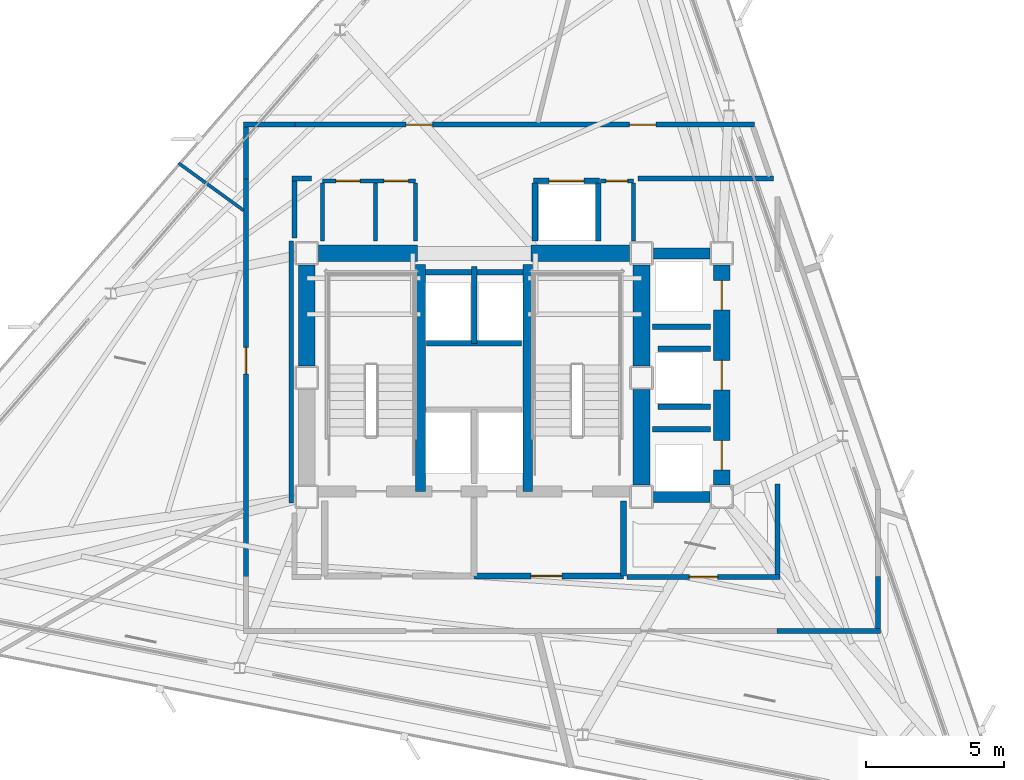
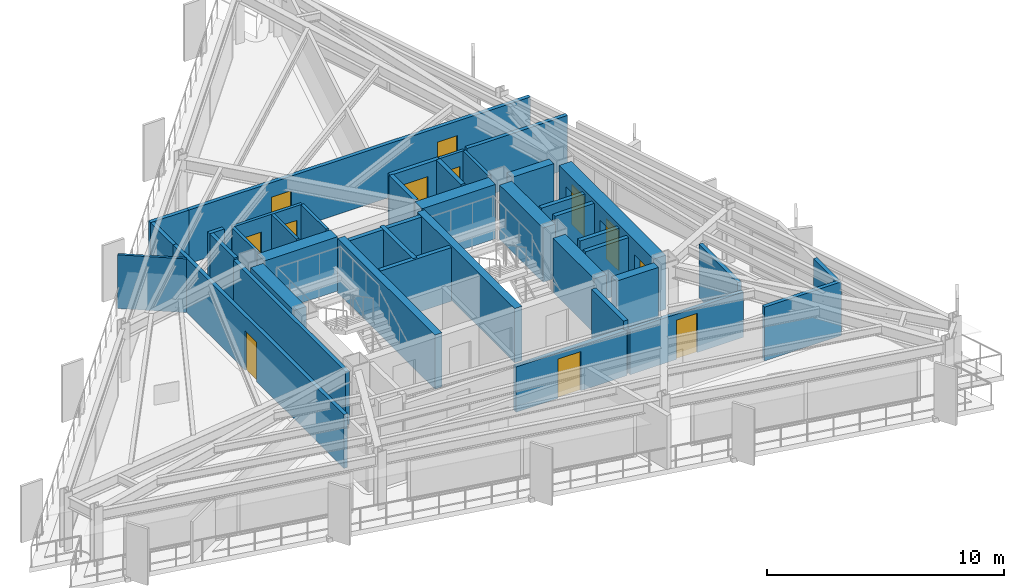
# One storey, part 9 of 13: 41 walls, 12 doors, 12 openings.
"""IFC4 building model written with IfcOpenShell, lengths in metres."""

from ifc_helpers import new_model, si_unit, direction, frame, frame_2d, origin, place, context, subcontext, project, spatial, rectangle, extrude, material, layer, layer_set, type_object, element, fill, save


model = new_model("IFC4")

# Units and contexts
model_context = context("Model", 3, precision=1e-05, world=origin(), true_north=direction((0.0, 1.0)))
body_context = subcontext(model_context, "Body", "Model", "MODEL_VIEW")
ifc_project = project(units=[si_unit("LENGTHUNIT", "METRE"), si_unit("AREAUNIT", "SQUARE_METRE"), si_unit("VOLUMEUNIT", "CUBIC_METRE"), si_unit("PLANEANGLEUNIT", "RADIAN"), si_unit("MASSUNIT", "GRAM", prefix="KILO")], contexts=[model_context])

# Site, building, storey
site_placement = place(None, origin())
site = spatial("IfcSite", under=ifc_project, at=site_placement, CompositionType="ELEMENT")
building_placement = place(site_placement, origin())
building = spatial("IfcBuilding", under=site, at=building_placement, Name="Rocaltana Carrier Exchange", CompositionType="ELEMENT")
storey_placement = place(building_placement, frame((0.0, 0.0, 150.239990234375)))
storey = spatial("IfcBuildingStorey", under=building, at=storey_placement, Name="L47", CompositionType="ELEMENT", Elevation=150.239990234375)

# Walls
ifc_material_1 = material(Name="Concrete C50/60", Category="concrete")
ifc_layer_1 = layer(ifc_material_1, 0.35009765625)
ifc_layer_set_1 = layer_set([ifc_layer_1], Name="Concrete C50/60")
wall_type_1 = type_object("IfcWallType", Name="Core Internal Shear Wall 350", PredefinedType="SHEAR", material=ifc_layer_set_1)
for number, where, z_axis, x_axis, name in (
    (1, (-1.93994140625, -4.10009765625, 0.0), (0.0, 0.0, 1.0), (0.0, 1.0, 0.0), "L47 Core Shear Wall CW-STW"),
    (2, (1.93994140625, -4.10009765625, 0.0), (0.0, 0.0, 1.0), (0.0, 1.0, 0.0), "L47 Core Shear Wall CW-STE"),
):
    element("IfcWall", number, at=place(storey_placement, frame(where, z_axis=z_axis, x_axis=x_axis)), inside=storey, type_object=wall_type_1, Name=name, PredefinedType="SHEAR", context=body_context, shape_type="SweptSolid", body=[
        extrude(rectangle(XDim=8.2001953125, YDim=0.35009765625, at=frame_2d((4.10009765625, 0.0))), origin(), (0.0, 0.0, 1.0), 2.7880859375),
    ])
ifc_material_2 = material(Name="Concrete C50/60", Category="concrete")
ifc_layer_2 = layer(ifc_material_2, 0.39990234375)
ifc_layer_set_2 = layer_set([ifc_layer_2], Name="Concrete C50/60")
wall_type_2 = type_object("IfcWallType", Name="Core Internal Shear Wall 400", PredefinedType="SHEAR", material=ifc_layer_set_2)
for number, where, z_axis, x_axis, name in (
    (3, (6.47509765625, 4.5, 0.0), (0.0, 0.0, 1.0), (1.0, 0.0, 0.0), "L47 Core Shear Wall CW-EWN"),
    (4, (6.47509765625, -4.300048828125, 0.0), (0.0, 0.0, 1.0), (1.0, 0.0, 0.0), "L47 Core Shear Wall CW-EWS"),
):
    element("IfcWall", number, at=place(storey_placement, frame(where, z_axis=z_axis, x_axis=x_axis)), inside=storey, type_object=wall_type_2, Name=name, PredefinedType="SHEAR", context=body_context, shape_type="SweptSolid", body=[
        extrude(rectangle(XDim=2.0498046875, YDim=0.39990234375, at=frame_2d((1.02490234375, 0.0))), origin(), (0.0, 0.0, 1.0), 2.7880859375),
    ])
ifc_material_3 = material(Name="Concrete C50/60", Category="concrete")
ifc_layer_3 = layer(ifc_material_3, 0.60009765625)
ifc_layer_set_3 = layer_set([ifc_layer_3], Name="Concrete C50/60")
wall_type_3 = type_object("IfcWallType", Name="Core Shear Wall 600", PredefinedType="SHEAR", material=ifc_layer_set_3)
for number, where, z_axis, x_axis, name in (
    (5, (-6.050048828125, 0.425048828125, 0.0), (0.0, 0.0, 1.0), (0.0, 1.0, 0.0), "L47 Core Shear Wall CW-WN"),
    (6, (6.050048828125, 0.425048828125, 0.0), (0.0, 0.0, 1.0), (0.0, 1.0, 0.0), "L47 Core Shear Wall CW-EN"),
):
    element("IfcWall", number, at=place(storey_placement, frame(where, z_axis=z_axis, x_axis=x_axis)), inside=storey, type_object=wall_type_3, Name=name, PredefinedType="SHEAR", context=body_context, shape_type="SweptSolid", body=[
        extrude(rectangle(XDim=3.64990234375, YDim=0.60009765625, at=frame_2d((1.824951171875, 0.0))), origin(), (0.0, 0.0, 1.0), 2.7880859375),
    ])
wall_1_placement = place(storey_placement, frame((6.050048828125, -3.875, 0.0), z_axis=(0.0, 0.0, 1.0), x_axis=(0.0, 1.0, 0.0)))
element("IfcWall", 7, at=wall_1_placement, inside=storey, type_object=wall_type_3, Name="L47 Core Shear Wall CW-ES", PredefinedType="SHEAR", context=body_context, shape_type="SweptSolid", body=[
    extrude(rectangle(XDim=3.449951171875, YDim=0.60009765625, at=frame_2d((1.72509765625, 0.0))), origin(), (0.0, 0.0, 1.0), 2.7880859375),
])
for number, where, z_axis, x_axis, name in (
    (8, (-5.625, 4.5, 0.0), (0.0, 0.0, 1.0), (1.0, 0.0, 0.0), "L47 Core Shear Wall CW-N1"),
    (9, (2.050048828125, 4.5, 0.0), (0.0, 0.0, 1.0), (1.0, 0.0, 0.0), "L47 Core Shear Wall CW-N2"),
):
    element("IfcWall", number, at=place(storey_placement, frame(where, z_axis=z_axis, x_axis=x_axis)), inside=storey, type_object=wall_type_3, Name=name, PredefinedType="SHEAR", context=body_context, shape_type="SweptSolid", body=[
        extrude(rectangle(XDim=3.574951171875, YDim=0.60009765625, at=frame_2d((1.78759765625, 0.0))), origin(), (0.0, 0.0, 1.0), 2.7880859375),
    ])

# Wall, openings, doors
wall_2_placement = place(storey_placement, frame((8.949951171875, -3.875, 0.0), z_axis=(0.0, 0.0, 1.0), x_axis=(0.0, 1.0, 0.0)))
wall_2 = element("IfcWall", 10, at=wall_2_placement, inside=storey, type_object=wall_type_3, Name="L47 Core Shear Wall CW-EW", PredefinedType="SHEAR", context=body_context, shape_type="SweptSolid", body=[
    extrude(rectangle(XDim=7.949951171875, YDim=0.60009765625, at=frame_2d((3.97509765625, 0.0))), origin(), (0.0, 0.0, 1.0), 2.7880859375),
])
opening_1_placement = place(wall_2_placement, frame((0.550048828125, 0.0, 0.0)))
opening_1 = element("IfcOpeningElement", 11, at=opening_1_placement, cuts=wall_2, Name="Opening LD-110", PredefinedType="OPENING", context=body_context, shape_type="SweptSolid", body=[
    extrude(rectangle(XDim=1.06005859375, YDim=2.0400390625, at=frame_2d((0.530029296875, 1.02001953125))), frame((0.0, 0.31005859375, 0.0), z_axis=(0.0, -1.0, 0.0), x_axis=(1.0, 0.0, 0.0)), (0.0, 0.0, 1.0), 0.6201171875),
])
opening_2_placement = place(wall_2_placement, frame((3.445068359375, 0.0, 0.0)))
opening_2 = element("IfcOpeningElement", 12, at=opening_2_placement, cuts=wall_2, Name="Opening LD-110", PredefinedType="OPENING", context=body_context, shape_type="SweptSolid", body=[
    extrude(rectangle(XDim=1.06005859375, YDim=2.0400390625, at=frame_2d((0.530029296875, 1.02001953125))), frame((0.0, 0.31005859375, 0.0), z_axis=(0.0, -1.0, 0.0), x_axis=(1.0, 0.0, 0.0)), (0.0, 0.0, 1.0), 0.6201171875),
])
opening_3_placement = place(wall_2_placement, frame((6.330078125, 0.0, 0.0)))
opening_3 = element("IfcOpeningElement", 13, at=opening_3_placement, cuts=wall_2, Name="Opening LD-110", PredefinedType="OPENING", context=body_context, shape_type="SweptSolid", body=[
    extrude(rectangle(XDim=1.06005859375, YDim=2.0400390625, at=frame_2d((0.530029296875, 1.02001953125))), frame((0.0, 0.31005859375, 0.0), z_axis=(0.0, -1.0, 0.0), x_axis=(1.0, 0.0, 0.0)), (0.0, 0.0, 1.0), 0.6201171875),
])
ifc_material_4 = material(Name="Brushed Stainless Sliding Door Leaf", Category="steel")
door_type_1 = type_object("IfcDoorType", Name="Lift Landing Sliding Door 1060x2040", OperationType="NOTDEFINED", PredefinedType="DOOR", material=ifc_material_4)
door_1_placement = place(opening_1_placement, origin())
door_1 = element("IfcDoor", 14, at=door_1_placement, inside=storey, type_object=door_type_1, Name="L47 Mid-Rise Lift PL-M1 Landing Door", OperationType="SLIDING_TO_LEFT", OverallHeight=2.0400390625, OverallWidth=1.06005859375, PredefinedType="DOOR", context=body_context, shape_type="SweptSolid", body=[
    extrude(rectangle(XDim=1.06005859375, YDim=2.0400390625, at=frame_2d((0.530029296875, 1.02001953125))), frame((0.0, 0.02490234375, 0.0), z_axis=(0.0, -1.0, 0.0), x_axis=(1.0, 0.0, 0.0)), (0.0, 0.0, 1.0), 0.050048828125),
])
fill(opening_1, door_1)
door_2_placement = place(opening_2_placement, origin())
door_2 = element("IfcDoor", 15, at=door_2_placement, inside=storey, type_object=door_type_1, Name="L47 Mid-Rise Lift PL-M2 Landing Door", OperationType="SLIDING_TO_RIGHT", OverallHeight=2.0400390625, OverallWidth=1.06005859375, PredefinedType="DOOR", context=body_context, shape_type="SweptSolid", body=[
    extrude(rectangle(XDim=1.06005859375, YDim=2.0400390625, at=frame_2d((0.530029296875, 1.02001953125))), frame((0.0, 0.02490234375, 0.0), z_axis=(0.0, -1.0, 0.0), x_axis=(1.0, 0.0, 0.0)), (0.0, 0.0, 1.0), 0.050048828125),
])
fill(opening_2, door_2)
door_3_placement = place(opening_3_placement, origin())
door_3 = element("IfcDoor", 16, at=door_3_placement, inside=storey, type_object=door_type_1, Name="L47 Mid-Rise Lift PL-M3 Landing Door", OperationType="SLIDING_TO_LEFT", OverallHeight=2.0400390625, OverallWidth=1.06005859375, PredefinedType="DOOR", context=body_context, shape_type="SweptSolid", body=[
    extrude(rectangle(XDim=1.06005859375, YDim=2.0400390625, at=frame_2d((0.530029296875, 1.02001953125))), frame((0.0, 0.02490234375, 0.0), z_axis=(0.0, -1.0, 0.0), x_axis=(1.0, 0.0, 0.0)), (0.0, 0.0, 1.0), 0.050048828125),
])
fill(opening_3, door_3)

# Wall, opening, door
ifc_material_5 = material(Name="Gypsum & Steel Stud Partition", Category="steel")
ifc_layer_4 = layer(ifc_material_5, 0.179931640625)
ifc_layer_set_4 = layer_set([ifc_layer_4], Name="Gypsum & Steel Stud Partition")
wall_type_4 = type_object("IfcWallType", Name="Corridor Fire Partition 180 EI60", PredefinedType="PARTITIONING", material=ifc_layer_set_4)
wall_3_placement = place(storey_placement, frame((-8.25, -7.219970703125, 0.0), z_axis=(0.0, 0.0, 1.0), x_axis=(0.0, 1.0, 0.0)))
wall_3 = element("IfcWall", 17, at=wall_3_placement, inside=storey, type_object=wall_type_4, Name="L47 Corridor Partition 3", PredefinedType="PARTITIONING", context=body_context, shape_type="SweptSolid", body=[
    extrude(rectangle(XDim=14.43994140625, YDim=0.179931640625, at=frame_2d((7.219970703125, 0.0))), origin(), (0.0, 0.0, 1.0), 2.762939453125),
])
opening_4_placement = place(wall_3_placement, frame((7.366455078125, 0.0, 0.0)))
opening_4 = element("IfcOpeningElement", 18, at=opening_4_placement, cuts=wall_3, Name="Opening D-RM098", PredefinedType="OPENING", context=body_context, shape_type="SweptSolid", body=[
    extrude(rectangle(XDim=0.9599609375, YDim=2.02001953125, at=frame_2d((0.47998046875, 1.010009765625))), frame((0.0, 0.099853515625, 0.0), z_axis=(0.0, -1.0, 0.0), x_axis=(1.0, 0.0, 0.0)), (0.0, 0.0, 1.0), 0.199951171875),
])
ifc_material_6 = material(Name="Engineered Hardwood Timber", Category="wood")
door_type_2 = type_object("IfcDoorType", Name="Workspace Single Door 960x2020", OperationType="NOTDEFINED", PredefinedType="DOOR", material=ifc_material_6)
door_4_placement = place(opening_4_placement, origin())
door_4 = element("IfcDoor", 19, at=door_4_placement, inside=storey, type_object=door_type_2, Name="L47 Cloud Architecture Office Entrance Door", OperationType="SINGLE_SWING_LEFT", OverallHeight=2.02001953125, OverallWidth=0.9599609375, PredefinedType="DOOR", context=body_context, shape_type="SweptSolid", body=[
    extrude(rectangle(XDim=0.9599609375, YDim=2.02001953125, at=frame_2d((0.47998046875, 1.010009765625))), frame((0.0, 0.02490234375, 0.0), z_axis=(0.0, -1.0, 0.0), x_axis=(1.0, 0.0, 0.0)), (0.0, 0.0, 1.0), 0.050048828125),
])
fill(opening_4, door_4)

# Walls
wall_4_placement = place(storey_placement, frame((-8.25, 7.179931640625, 0.0), z_axis=(0.0, 0.0, 1.0), x_axis=(0.0, 1.0, 0.0)))
element("IfcWall", 20, at=wall_4_placement, inside=storey, type_object=wall_type_4, Name="L47 Corridor Partition 4", PredefinedType="PARTITIONING", context=body_context, shape_type="SweptSolid", body=[
    extrude(rectangle(XDim=1.880126953125, YDim=0.179931640625, at=frame_2d((0.93994140625, 0.0))), origin(), (0.0, 0.0, 1.0), 2.762939453125),
])
wall_5_placement = place(storey_placement, frame((-8.340087890625, 9.14990234375, 0.0), z_axis=(0.0, 0.0, 1.0), x_axis=(1.0, 0.0, 0.0)))
element("IfcWall", 21, at=wall_5_placement, inside=storey, type_object=wall_type_4, Name="L47 Corridor Partition 5", PredefinedType="PARTITIONING", context=body_context, shape_type="SweptSolid", body=[
    extrude(rectangle(XDim=1.860107421875, YDim=0.179931640625, at=frame_2d((0.93017578125, 0.0))), origin(), (0.0, 0.0, 1.0), 2.762939453125),
])

# Wall, openings, doors
wall_6_placement = place(storey_placement, frame((-6.52001953125, 9.14990234375, 0.0), z_axis=(0.0, 0.0, 1.0), x_axis=(1.0, 0.0, 0.0)))
wall_6 = element("IfcWall", 22, at=wall_6_placement, inside=storey, type_object=wall_type_4, Name="L47 Corridor Partition 6", PredefinedType="PARTITIONING", context=body_context, shape_type="SweptSolid", body=[
    extrude(rectangle(XDim=16.662353515625, YDim=0.179931640625, at=frame_2d((8.3310546875, 0.0))), origin(), (0.0, 0.0, 1.0), 2.762939453125),
])
opening_5_placement = place(wall_6_placement, frame((12.1328125, 0.0, 0.0)))
opening_5 = element("IfcOpeningElement", 23, at=opening_5_placement, cuts=wall_6, Name="Opening D-RM098", PredefinedType="OPENING", context=body_context, shape_type="SweptSolid", body=[
    extrude(rectangle(XDim=0.9599609375, YDim=2.02001953125, at=frame_2d((0.47998046875, 1.010009765625))), frame((0.0, 0.099853515625, 0.0), z_axis=(0.0, -1.0, 0.0), x_axis=(1.0, 0.0, 0.0)), (0.0, 0.0, 1.0), 0.199951171875),
])
opening_6_placement = place(wall_6_placement, frame((4.059814453125, 0.0, 0.0)))
opening_6 = element("IfcOpeningElement", 24, at=opening_6_placement, cuts=wall_6, Name="Opening D-RM098", PredefinedType="OPENING", context=body_context, shape_type="SweptSolid", body=[
    extrude(rectangle(XDim=0.9599609375, YDim=2.02001953125, at=frame_2d((0.47998046875, 1.010009765625))), frame((0.0, 0.099853515625, 0.0), z_axis=(0.0, -1.0, 0.0), x_axis=(1.0, 0.0, 0.0)), (0.0, 0.0, 1.0), 0.199951171875),
])
door_5_placement = place(opening_5_placement, origin())
door_5 = element("IfcDoor", 25, at=door_5_placement, inside=storey, type_object=door_type_2, Name="L47 Peering Conference Room Entrance Door", OperationType="SINGLE_SWING_LEFT", OverallHeight=2.02001953125, OverallWidth=0.9599609375, PredefinedType="DOOR", context=body_context, shape_type="SweptSolid", body=[
    extrude(rectangle(XDim=0.9599609375, YDim=2.02001953125, at=frame_2d((0.47998046875, 1.010009765625))), frame((0.0, 0.02490234375, 0.0), z_axis=(0.0, -1.0, 0.0), x_axis=(1.0, 0.0, 0.0)), (0.0, 0.0, 1.0), 0.050048828125),
])
fill(opening_5, door_5)
door_6_placement = place(opening_6_placement, origin())
door_6 = element("IfcDoor", 26, at=door_6_placement, inside=storey, type_object=door_type_2, Name="L47 Network Operations Office Entrance Door", OperationType="SINGLE_SWING_RIGHT", OverallHeight=2.02001953125, OverallWidth=0.9599609375, PredefinedType="DOOR", context=body_context, shape_type="SweptSolid", body=[
    extrude(rectangle(XDim=0.9599609375, YDim=2.02001953125, at=frame_2d((0.47998046875, 1.010009765625))), frame((0.0, 0.02490234375, 0.0), z_axis=(0.0, -1.0, 0.0), x_axis=(1.0, 0.0, 0.0)), (0.0, 0.0, 1.0), 0.050048828125),
])
fill(opening_6, door_6)

# Walls
wall_7_placement = place(storey_placement, frame((10.813720703125, 7.199951171875, 0.0), z_axis=(0.0, 0.0, 1.0), x_axis=(-1.0, 0.0, 0.0)))
element("IfcWall", 27, at=wall_7_placement, inside=storey, type_object=wall_type_4, Name="L47 Corridor Partition 8", PredefinedType="PARTITIONING", context=body_context, shape_type="SweptSolid", body=[
    extrude(rectangle(XDim=4.8837890625, YDim=0.179931640625, at=frame_2d((2.44189453125, 0.0))), origin(), (0.0, 0.0, 1.0), 2.762939453125),
])
wall_8_placement = place(storey_placement, frame((-5.8798828125, 7.199951171875, 0.0), z_axis=(0.0, 0.0, 1.0), x_axis=(-1.0, 0.0, 0.0)))
element("IfcWall", 28, at=wall_8_placement, inside=storey, type_object=wall_type_4, Name="L47 Corridor Partition 9", PredefinedType="PARTITIONING", context=body_context, shape_type="SweptSolid", body=[
    extrude(rectangle(XDim=0.710205078125, YDim=0.179931640625, at=frame_2d((0.35498046875, 0.0))), origin(), (0.0, 0.0, 1.0), 2.762939453125),
])
wall_9_placement = place(storey_placement, frame((-6.5, 7.110107421875, 0.0), z_axis=(0.0, 0.0, 1.0), x_axis=(0.0, -1.0, 0.0)))
element("IfcWall", 29, at=wall_9_placement, inside=storey, type_object=wall_type_4, Name="L47 Corridor Partition 10", PredefinedType="PARTITIONING", context=body_context, shape_type="SweptSolid", body=[
    extrude(rectangle(XDim=2.058349609375, YDim=0.179931640625, at=frame_2d((1.029296875, 0.0))), origin(), (0.0, 0.0, 1.0), 2.762939453125),
])
wall_10_placement = place(storey_placement, frame((-6.610107421875, 4.93994140625, 0.0), z_axis=(0.0, 0.0, 1.0), x_axis=(0.0, -1.0, 0.0)))
element("IfcWall", 30, at=wall_10_placement, inside=storey, type_object=wall_type_4, Name="L47 Corridor Partition 11", PredefinedType="PARTITIONING", context=body_context, shape_type="SweptSolid", body=[
    extrude(rectangle(XDim=9.4599609375, YDim=0.179931640625, at=frame_2d((4.72998046875, 0.0))), origin(), (0.0, 0.0, 1.0), 2.762939453125),
])

# Wall, opening, door
wall_11_placement = place(storey_placement, frame((5.530029296875, -7.199951171875, 0.0), z_axis=(0.0, 0.0, 1.0), x_axis=(1.0, 0.0, 0.0)))
wall_11 = element("IfcWall", 31, at=wall_11_placement, inside=storey, type_object=wall_type_4, Name="L47 Corridor Partition 14", PredefinedType="PARTITIONING", context=body_context, shape_type="SweptSolid", body=[
    extrude(rectangle(XDim=5.52001953125, YDim=0.179931640625, at=frame_2d((2.760009765625, 0.0))), origin(), (0.0, 0.0, 1.0), 2.330078125),
])
opening_7_placement = place(wall_11_placement, frame((2.25, 0.0, 0.0)))
opening_7 = element("IfcOpeningElement", 32, at=opening_7_placement, cuts=wall_11, Name="Opening D-LB104", PredefinedType="OPENING", context=body_context, shape_type="SweptSolid", body=[
    extrude(rectangle(XDim=1.02001953125, YDim=2.02001953125, at=frame_2d((0.510009765625, 1.010009765625))), frame((0.0, 0.099853515625, 0.0), z_axis=(0.0, -1.0, 0.0), x_axis=(1.0, 0.0, 0.0)), (0.0, 0.0, 1.0), 0.199951171875),
])
ifc_material_7 = material(Name="Powder-Coated Aluminium 6063-T6", Category="aluminium")
door_type_3 = type_object("IfcDoorType", Name="Laboratory Acoustic Door 1020x2020", OperationType="NOTDEFINED", PredefinedType="DOOR", material=ifc_material_7)
door_7_placement = place(opening_7_placement, origin())
door_7 = element("IfcDoor", 33, at=door_7_placement, inside=storey, type_object=door_type_3, Name="L47 Optical Switching Laboratory Entrance Door", OperationType="SINGLE_SWING_RIGHT", OverallHeight=2.02001953125, OverallWidth=1.02001953125, PredefinedType="DOOR", context=body_context, shape_type="SweptSolid", body=[
    extrude(rectangle(XDim=1.02001953125, YDim=2.02001953125, at=frame_2d((0.510009765625, 1.010009765625))), frame((0.0, 0.02490234375, 0.0), z_axis=(0.0, -1.0, 0.0), x_axis=(1.0, 0.0, 0.0)), (0.0, 0.0, 1.0), 0.050048828125),
])
fill(opening_7, door_7)

# Walls
wall_12_placement = place(storey_placement, frame((10.9599609375, -7.110107421875, 0.0), z_axis=(0.0, 0.0, 1.0), x_axis=(0.0, 1.0, 0.0)))
element("IfcWall", 34, at=wall_12_placement, inside=storey, type_object=wall_type_4, Name="L47 Corridor Partition 15", PredefinedType="PARTITIONING", context=body_context, shape_type="SweptSolid", body=[
    extrude(rectangle(XDim=3.2705078125, YDim=0.179931640625, at=frame_2d((1.63525390625, 0.0))), origin(), (0.0, 0.0, 1.0), 2.762939453125),
])
wall_13_placement = place(storey_placement, frame((14.60009765625, -7.179931640625, 0.0), z_axis=(0.0, 0.0, 1.0), x_axis=(0.0, -1.0, 0.0)))
element("IfcWall", 35, at=wall_13_placement, inside=storey, type_object=wall_type_4, Name="L47 Corridor Partition 19", PredefinedType="PARTITIONING", context=body_context, shape_type="SweptSolid", body=[
    extrude(rectangle(XDim=1.880126953125, YDim=0.179931640625, at=frame_2d((0.93994140625, 0.0))), origin(), (0.0, 0.0, 1.0), 2.762939453125),
])
wall_14_placement = place(storey_placement, frame((14.68994140625, -9.14990234375, 0.0), z_axis=(0.0, 0.0, 1.0), x_axis=(-1.0, 0.0, 0.0)))
element("IfcWall", 36, at=wall_14_placement, inside=storey, type_object=wall_type_4, Name="L47 Corridor Partition 20", PredefinedType="PARTITIONING", context=body_context, shape_type="SweptSolid", body=[
    extrude(rectangle(XDim=3.75, YDim=0.179931640625, at=frame_2d((1.875, 0.0))), origin(), (0.0, 0.0, 1.0), 2.762939453125),
])
ifc_material_8 = material(Name="Aluminium 6063-T6 & Acoustic Glass", Category="aluminium")
ifc_layer_5 = layer(ifc_material_8, 0.114990234375)
ifc_layer_set_5 = layer_set([ifc_layer_5], Name="Aluminium 6063-T6 & Acoustic Glass")
wall_type_5 = type_object("IfcWallType", Name="Demountable Glazed Lab Partition 115", PredefinedType="MOVABLE", material=ifc_layer_set_5)
wall_15_placement = place(storey_placement, frame((-8.330078125, 6.052001953125, 0.0), z_axis=(0.0, 0.0, 1.0), x_axis=(-0.808997455981, 0.587812143644, 0.0)))
element("IfcWall", 37, at=wall_15_placement, inside=storey, type_object=wall_type_5, Name="L47 Suite Divider Wall D7", PredefinedType="MOVABLE", context=body_context, shape_type="SweptSolid", body=[
    extrude(rectangle(XDim=2.907470703125, YDim=0.114990234375, at=frame_2d((1.45361328125, 0.0))), origin(), (0.0, 0.0, 1.0), 2.762939453125),
])
ifc_material_9 = material(Name="Autoclaved Aerated Concrete C30/37", Category="concrete")
ifc_layer_6 = layer(ifc_material_9, 0.219970703125)
ifc_layer_set_6 = layer_set([ifc_layer_6], Name="Autoclaved Aerated Concrete C30/37")
wall_type_6 = type_object("IfcWallType", Name="Firefighting Lobby Wall 220 EI120", PredefinedType="PARTITIONING", material=ifc_layer_set_6)
wall_16_placement = place(storey_placement, frame((5.39990234375, -7.159912109375, 0.0), z_axis=(0.0, 0.0, 1.0), x_axis=(0.0, 1.0, 0.0)))
element("IfcWall", 38, at=wall_16_placement, inside=storey, type_object=wall_type_6, Name="L47 FFL Lobby 2 East Wall", PredefinedType="PARTITIONING", context=body_context, shape_type="SweptSolid", body=[
    extrude(rectangle(XDim=2.7099609375, YDim=0.219970703125, at=frame_2d((1.35498046875, 0.0))), origin(), (0.0, 0.0, 1.0), 2.762939453125),
])

# Wall, opening, door
wall_17_placement = place(storey_placement, frame((0.0, -7.159912109375, 0.0), z_axis=(0.0, 0.0, 1.0), x_axis=(1.0, 0.0, 0.0)))
wall_17 = element("IfcWall", 39, at=wall_17_placement, inside=storey, type_object=wall_type_6, Name="L47 FFL Lobby 2 South Wall", PredefinedType="PARTITIONING", context=body_context, shape_type="SweptSolid", body=[
    extrude(rectangle(XDim=5.39990234375, YDim=0.219970703125, at=frame_2d((2.699951171875, 0.0))), origin(), (0.0, 0.0, 1.0), 2.330078125),
])
opening_8_placement = place(wall_17_placement, frame((2.050048828125, 0.0, 0.0)))
opening_8 = element("IfcOpeningElement", 40, at=opening_8_placement, cuts=wall_17, Name="Opening D-FF115", PredefinedType="OPENING", context=body_context, shape_type="SweptSolid", body=[
    extrude(rectangle(XDim=1.1201171875, YDim=2.02001953125, at=frame_2d((0.56005859375, 1.010009765625))), frame((0.0, 0.119873046875, 0.0), z_axis=(0.0, -1.0, 0.0), x_axis=(1.0, 0.0, 0.0)), (0.0, 0.0, 1.0), 0.239990234375),
])
ifc_material_10 = material(Name="Hollow Metal Fire Door Assembly", Category="steel")
door_type_4 = type_object("IfcDoorType", Name="Firefighting Lobby Door 1120x2020 FD60S", OperationType="NOTDEFINED", PredefinedType="DOOR", material=ifc_material_10)
door_8_placement = place(opening_8_placement, origin())
door_8 = element("IfcDoor", 41, at=door_8_placement, inside=storey, type_object=door_type_4, Name="L47 Firefighting Lift Lobby 2 Door", OperationType="SINGLE_SWING_LEFT", OverallHeight=2.02001953125, OverallWidth=1.1201171875, PredefinedType="DOOR", context=body_context, shape_type="SweptSolid", body=[
    extrude(rectangle(XDim=1.1201171875, YDim=2.02001953125, at=frame_2d((0.56005859375, 1.010009765625))), frame((0.0, 0.02490234375, 0.0), z_axis=(0.0, -1.0, 0.0), x_axis=(1.0, 0.0, 0.0)), (0.0, 0.0, 1.0), 0.050048828125),
])
fill(opening_8, door_8)

# Walls
ifc_material_11 = material(Name="Reinforced Concrete Block C35/45", Category="concrete")
ifc_layer_7 = layer(ifc_material_11, 0.199951171875)
ifc_layer_set_7 = layer_set([ifc_layer_7], Name="Reinforced Concrete Block C35/45")
wall_type_7 = type_object("IfcWallType", Name="Lift Hoistway Enclosure Wall 200 EI120", PredefinedType="PARTITIONING", material=ifc_layer_set_7)
wall_18_placement = place(storey_placement, frame((0.0, 1.25, 0.0), z_axis=(0.0, 0.0, 1.0), x_axis=(0.0, 1.0, 0.0)))
element("IfcWall", 42, at=wall_18_placement, inside=storey, type_object=wall_type_7, Name="L47 High-Rise Shaft Divider", PredefinedType="PARTITIONING", context=body_context, shape_type="SweptSolid", body=[
    extrude(rectangle(XDim=2.77001953125, YDim=0.199951171875, at=frame_2d((1.385009765625, 0.0))), origin(), (0.0, 0.0, 1.0), 2.762939453125),
])
wall_19_placement = place(storey_placement, frame((-1.719970703125, 1.25, 0.0), z_axis=(0.0, 0.0, 1.0), x_axis=(1.0, 0.0, 0.0)))
element("IfcWall", 43, at=wall_19_placement, inside=storey, type_object=wall_type_7, Name="L47 High-Rise Shaft Back Wall", PredefinedType="PARTITIONING", context=body_context, shape_type="SweptSolid", body=[
    extrude(rectangle(XDim=3.43994140625, YDim=0.199951171875, at=frame_2d((1.719970703125, 0.0))), origin(), (0.0, 0.0, 1.0), 2.762939453125),
])
wall_20_placement = place(storey_placement, frame((-1.760009765625, 3.820068359375, 0.0), z_axis=(0.0, 0.0, 1.0), x_axis=(1.0, 0.0, 0.0)))
element("IfcWall", 44, at=wall_20_placement, inside=storey, type_object=wall_type_7, Name="L47 High-Rise Lift Front Wall", PredefinedType="PARTITIONING", context=body_context, shape_type="SweptSolid", body=[
    extrude(rectangle(XDim=3.52001953125, YDim=0.199951171875, at=frame_2d((1.760009765625, 0.0))), origin(), (0.0, 0.0, 1.0), 2.762939453125),
])
for number, where, z_axis, x_axis, name in (
    (45, (2.199951171875, 4.949951171875, 0.0), (0.0, 0.0, 1.0), (0.0, 1.0, 0.0), "L47 Goods Lift West Wall"),
    (46, (4.47998046875, 4.949951171875, 0.0), (0.0, 0.0, 1.0), (0.0, 1.0, 0.0), "L47 Goods Lift East Wall"),
):
    element("IfcWall", number, at=place(storey_placement, frame(where, z_axis=z_axis, x_axis=x_axis)), inside=storey, type_object=wall_type_7, Name=name, PredefinedType="PARTITIONING", context=body_context, shape_type="SweptSolid", body=[
        extrude(rectangle(XDim=2.10009765625, YDim=0.199951171875, at=frame_2d((1.050048828125, 0.0))), origin(), (0.0, 0.0, 1.0), 2.762939453125),
    ])

# Wall, opening, door
wall_21_placement = place(storey_placement, frame((2.14990234375, 7.1201171875, 0.0), z_axis=(0.0, 0.0, 1.0), x_axis=(1.0, 0.0, 0.0)))
wall_21 = element("IfcWall", 47, at=wall_21_placement, inside=storey, type_object=wall_type_7, Name="L47 Goods Lift Front Wall", PredefinedType="PARTITIONING", context=body_context, shape_type="SweptSolid", body=[
    extrude(rectangle(XDim=2.380126953125, YDim=0.199951171875, at=frame_2d((1.18994140625, 0.0))), origin(), (0.0, 0.0, 1.0), 2.762939453125),
])
opening_9_placement = place(wall_21_placement, frame((0.56005859375, 0.0, 0.0)))
opening_9 = element("IfcOpeningElement", 48, at=opening_9_placement, cuts=wall_21, Name="Opening LD-130", PredefinedType="OPENING", context=body_context, shape_type="SweptSolid", body=[
    extrude(rectangle(XDim=1.260009765625, YDim=2.06005859375, at=frame_2d((0.6298828125, 1.030029296875))), frame((0.0, 0.10986328125, 0.0), z_axis=(0.0, -1.0, 0.0), x_axis=(1.0, 0.0, 0.0)), (0.0, 0.0, 1.0), 0.219970703125),
])
ifc_material_12 = material(Name="Brushed Stainless Sliding Door Leaf", Category="steel")
door_type_5 = type_object("IfcDoorType", Name="Goods Lift Landing Sliding Door 1260x2060", OperationType="NOTDEFINED", PredefinedType="DOOR", material=ifc_material_12)
door_9_placement = place(opening_9_placement, origin())
door_9 = element("IfcDoor", 49, at=door_9_placement, inside=storey, type_object=door_type_5, Name="L47 Goods Lift GL-1 Landing Door", OperationType="SLIDING_TO_LEFT", OverallHeight=2.06005859375, OverallWidth=1.260009765625, PredefinedType="DOOR", context=body_context, shape_type="SweptSolid", body=[
    extrude(rectangle(XDim=1.260009765625, YDim=2.06005859375, at=frame_2d((0.6298828125, 1.030029296875))), frame((0.0, 0.02490234375, 0.0), z_axis=(0.0, -1.0, 0.0), x_axis=(1.0, 0.0, 0.0)), (0.0, 0.0, 1.0), 0.050048828125),
])
fill(opening_9, door_9)

# Walls
for number, where, z_axis, x_axis, name in (
    (50, (6.449951171875, -1.85009765625, 0.0), (0.0, 0.0, 1.0), (1.0, 0.0, 0.0), "L47 Mid-Rise Shaft Divider 1"),
    (51, (6.449951171875, 1.85009765625, 0.0), (0.0, 0.0, 1.0), (1.0, 0.0, 0.0), "L47 Mid-Rise Shaft Divider 2"),
):
    element("IfcWall", number, at=place(storey_placement, frame(where, z_axis=z_axis, x_axis=x_axis)), inside=storey, type_object=wall_type_7, Name=name, PredefinedType="PARTITIONING", context=body_context, shape_type="SweptSolid", body=[
        extrude(rectangle(XDim=2.10009765625, YDim=0.199951171875, at=frame_2d((1.050048828125, 0.0))), origin(), (0.0, 0.0, 1.0), 2.762939453125),
    ])
for number, where, z_axis, x_axis, name in (
    (52, (6.639892578125, -1.050048828125, 0.0), (0.0, 0.0, 1.0), (1.0, 0.0, 0.0), "L47 Mid-Rise Center Shaft Wall South"),
    (53, (6.639892578125, 1.050048828125, 0.0), (0.0, 0.0, 1.0), (1.0, 0.0, 0.0), "L47 Mid-Rise Center Shaft Wall North"),
):
    element("IfcWall", number, at=place(storey_placement, frame(where, z_axis=z_axis, x_axis=x_axis)), inside=storey, type_object=wall_type_7, Name=name, PredefinedType="PARTITIONING", context=body_context, shape_type="SweptSolid", body=[
        extrude(rectangle(XDim=1.91015625, YDim=0.199951171875, at=frame_2d((0.955078125, 0.0))), origin(), (0.0, 0.0, 1.0), 2.762939453125),
    ])
ifc_material_13 = material(Name="Moisture-Resistant Masonry C30/37", Category="masonry")
ifc_layer_8 = layer(ifc_material_13, 0.139892578125)
ifc_layer_set_8 = layer_set([ifc_layer_8], Name="Moisture-Resistant Masonry C30/37")
wall_type_8 = type_object("IfcWallType", Name="Wet-Area Sanitary Partition 140", PredefinedType="PARTITIONING", material=ifc_layer_set_8)
for number, where, z_axis, x_axis, name in (
    (54, (-5.47998046875, 4.949951171875, 0.0), (0.0, 0.0, 1.0), (0.0, 1.0, 0.0), "L47 Sanitary West Wall"),
    (55, (-3.56005859375, 4.949951171875, 0.0), (0.0, 0.0, 1.0), (0.0, 1.0, 0.0), "L47 Sanitary Divider"),
    (56, (-2.1201171875, 4.949951171875, 0.0), (0.0, 0.0, 1.0), (0.0, 1.0, 0.0), "L47 Sanitary East Wall"),
):
    element("IfcWall", number, at=place(storey_placement, frame(where, z_axis=z_axis, x_axis=x_axis)), inside=storey, type_object=wall_type_8, Name=name, PredefinedType="PARTITIONING", context=body_context, shape_type="SweptSolid", body=[
        extrude(rectangle(XDim=2.10009765625, YDim=0.139892578125, at=frame_2d((1.050048828125, 0.0))), origin(), (0.0, 0.0, 1.0), 2.762939453125),
    ])

# Wall, openings, doors
wall_22_placement = place(storey_placement, frame((-5.47998046875, 7.1201171875, 0.0), z_axis=(0.0, 0.0, 1.0), x_axis=(1.0, 0.0, 0.0)))
wall_22 = element("IfcWall", 57, at=wall_22_placement, inside=storey, type_object=wall_type_8, Name="L47 Sanitary North Wall", PredefinedType="PARTITIONING", context=body_context, shape_type="SweptSolid", body=[
    extrude(rectangle(XDim=3.35986328125, YDim=0.139892578125, at=frame_2d((1.679931640625, 0.0))), origin(), (0.0, 0.0, 1.0), 2.762939453125),
])
opening_10_placement = place(wall_22_placement, frame((0.47998046875, 0.0, 0.0)))
opening_10 = element("IfcOpeningElement", 58, at=opening_10_placement, cuts=wall_22, Name="Opening D-WC090", PredefinedType="OPENING", context=body_context, shape_type="SweptSolid", body=[
    extrude(rectangle(XDim=0.8798828125, YDim=2.02001953125, at=frame_2d((0.43994140625, 1.010009765625))), frame((0.0, 0.079833984375, 0.0), z_axis=(0.0, -1.0, 0.0), x_axis=(1.0, 0.0, 0.0)), (0.0, 0.0, 1.0), 0.159912109375),
])
opening_11_placement = place(wall_22_placement, frame((2.219970703125, 0.0, 0.0)))
opening_11 = element("IfcOpeningElement", 59, at=opening_11_placement, cuts=wall_22, Name="Opening D-WC090", PredefinedType="OPENING", context=body_context, shape_type="SweptSolid", body=[
    extrude(rectangle(XDim=0.8798828125, YDim=2.02001953125, at=frame_2d((0.43994140625, 1.010009765625))), frame((0.0, 0.079833984375, 0.0), z_axis=(0.0, -1.0, 0.0), x_axis=(1.0, 0.0, 0.0)), (0.0, 0.0, 1.0), 0.159912109375),
])
ifc_material_14 = material(Name="High-Pressure Laminate Timber", Category="wood")
door_type_6 = type_object("IfcDoorType", Name="Restroom & Accessible WC Door 880x2020", OperationType="NOTDEFINED", PredefinedType="DOOR", material=ifc_material_14)
door_10_placement = place(opening_10_placement, origin())
door_10 = element("IfcDoor", 60, at=door_10_placement, inside=storey, type_object=door_type_6, Name="L47 Accessible Toilet Door", OperationType="SINGLE_SWING_RIGHT", OverallHeight=2.02001953125, OverallWidth=0.8798828125, PredefinedType="DOOR", context=body_context, shape_type="SweptSolid", body=[
    extrude(rectangle(XDim=0.8798828125, YDim=2.02001953125, at=frame_2d((0.43994140625, 1.010009765625))), frame((0.0, 0.02490234375, 0.0), z_axis=(0.0, -1.0, 0.0), x_axis=(1.0, 0.0, 0.0)), (0.0, 0.0, 1.0), 0.050048828125),
])
fill(opening_10, door_10)
door_11_placement = place(opening_11_placement, origin())
door_11 = element("IfcDoor", 61, at=door_11_placement, inside=storey, type_object=door_type_6, Name="L47 Staff Restroom Door", OperationType="SINGLE_SWING_LEFT", OverallHeight=2.02001953125, OverallWidth=0.8798828125, PredefinedType="DOOR", context=body_context, shape_type="SweptSolid", body=[
    extrude(rectangle(XDim=0.8798828125, YDim=2.02001953125, at=frame_2d((0.43994140625, 1.010009765625))), frame((0.0, 0.02490234375, 0.0), z_axis=(0.0, -1.0, 0.0), x_axis=(1.0, 0.0, 0.0)), (0.0, 0.0, 1.0), 0.050048828125),
])
fill(opening_11, door_11)

# Wall
wall_23_placement = place(storey_placement, frame((5.760009765625, 4.949951171875, 0.0), z_axis=(0.0, 0.0, 1.0), x_axis=(0.0, 1.0, 0.0)))
element("IfcWall", 62, at=wall_23_placement, inside=storey, type_object=wall_type_8, Name="L47 Riser East Wall", PredefinedType="PARTITIONING", context=body_context, shape_type="SweptSolid", body=[
    extrude(rectangle(XDim=2.10009765625, YDim=0.139892578125, at=frame_2d((1.050048828125, 0.0))), origin(), (0.0, 0.0, 1.0), 2.762939453125),
])

# Wall, opening, door
wall_24_placement = place(storey_placement, frame((4.56005859375, 7.1201171875, 0.0), z_axis=(0.0, 0.0, 1.0), x_axis=(1.0, 0.0, 0.0)))
wall_24 = element("IfcWall", 63, at=wall_24_placement, inside=storey, type_object=wall_type_8, Name="L47 Riser North Wall", PredefinedType="PARTITIONING", context=body_context, shape_type="SweptSolid", body=[
    extrude(rectangle(XDim=1.199951171875, YDim=0.139892578125, at=frame_2d((0.60009765625, 0.0))), origin(), (0.0, 0.0, 1.0), 2.762939453125),
])
opening_12_placement = place(wall_24_placement, frame((0.2099609375, 0.0, 0.0)))
opening_12 = element("IfcOpeningElement", 64, at=opening_12_placement, cuts=wall_24, Name="Opening D-RS082", PredefinedType="OPENING", context=body_context, shape_type="SweptSolid", body=[
    extrude(rectangle(XDim=0.780029296875, YDim=2.010009765625, at=frame_2d((0.39013671875, 1.0048828125))), frame((0.0, 0.079833984375, 0.0), z_axis=(0.0, -1.0, 0.0), x_axis=(1.0, 0.0, 0.0)), (0.0, 0.0, 1.0), 0.159912109375),
])
ifc_material_15 = material(Name="Hollow Metal Access Door Leaf", Category="steel")
door_type_7 = type_object("IfcDoorType", Name="Riser & Service Closet Door 780x2010", OperationType="NOTDEFINED", PredefinedType="DOOR", material=ifc_material_15)
door_12_placement = place(opening_12_placement, origin())
door_12 = element("IfcDoor", 65, at=door_12_placement, inside=storey, type_object=door_type_7, Name="L47 Fibre Riser Closet Door", OperationType="SINGLE_SWING_RIGHT", OverallHeight=2.010009765625, OverallWidth=0.780029296875, PredefinedType="DOOR", context=body_context, shape_type="SweptSolid", body=[
    extrude(rectangle(XDim=0.780029296875, YDim=2.010009765625, at=frame_2d((0.39013671875, 1.0048828125))), frame((0.0, 0.02490234375, 0.0), z_axis=(0.0, -1.0, 0.0), x_axis=(1.0, 0.0, 0.0)), (0.0, 0.0, 1.0), 0.050048828125),
])
fill(opening_12, door_12)

save(model, "model.ifc")
